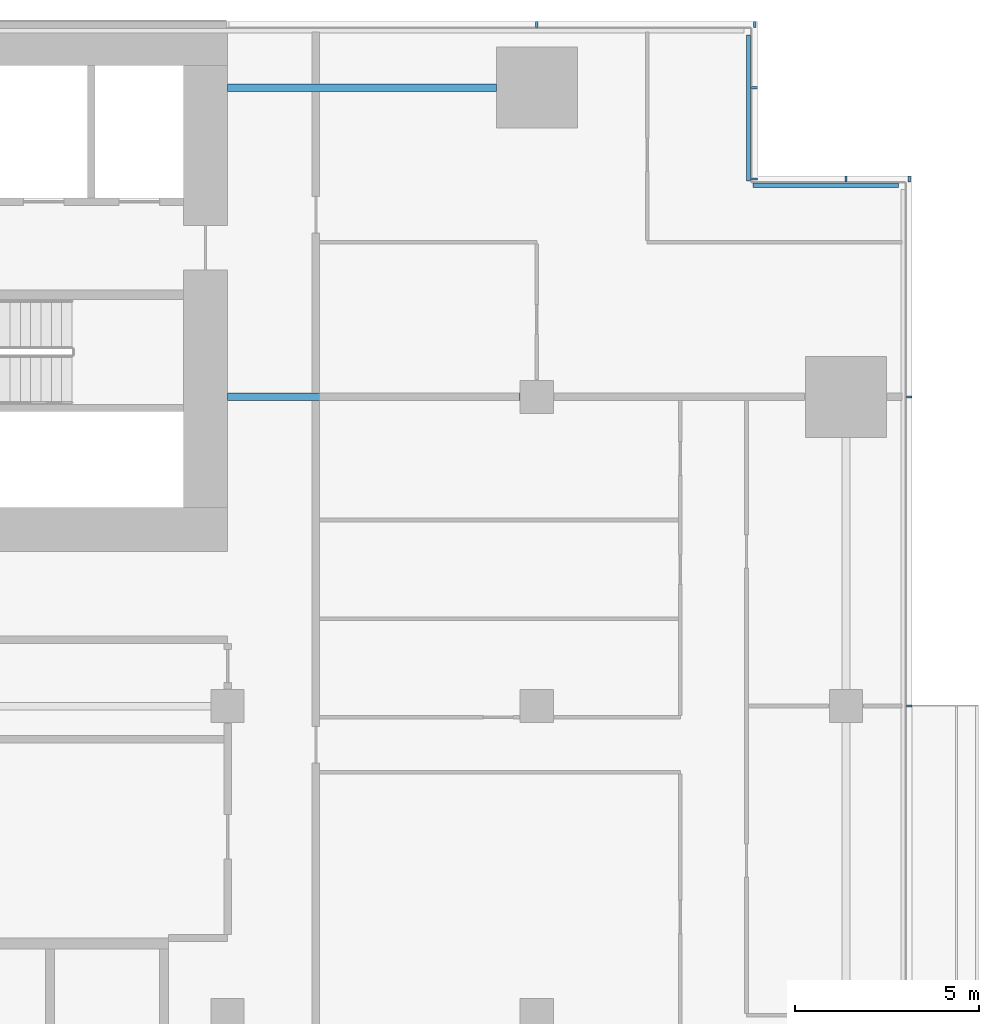
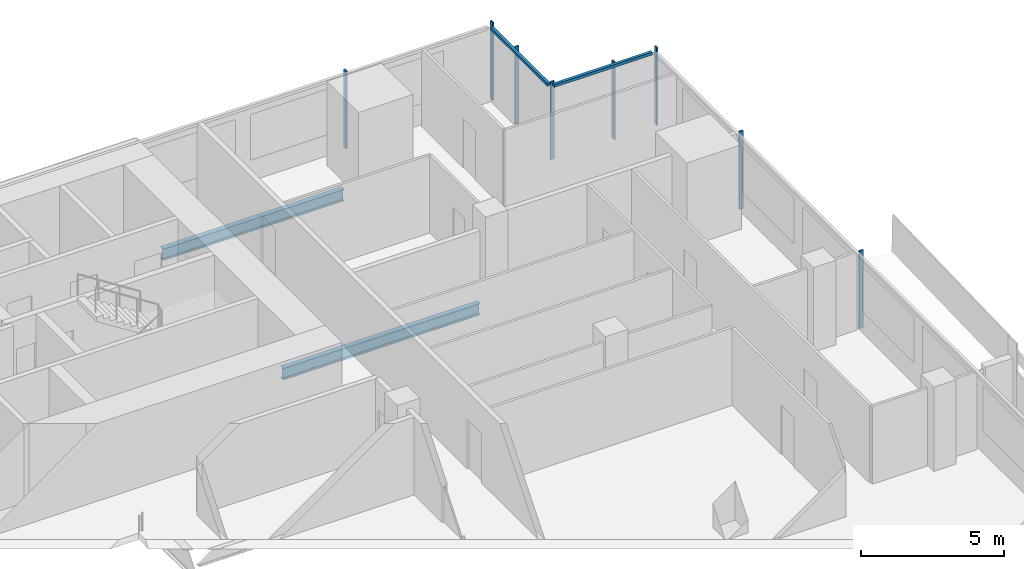
# One storey, part 14 of 28: 10 members, 2 beams, 4 elements without a shape of their own.
"""IFC4 building model written with IfcOpenShell, lengths in metres."""

from ifc_helpers import new_model, si_unit, direction, frame, origin, origin_2d, place, context, subcontext, project, spatial, rectangle, i_section, extrude, material, material_profile, profile_set, type_object, element, aggregate, save


model = new_model("IFC4")

# Units and contexts
model_context = context("Model", 3, precision=1e-05, world=origin(), true_north=direction((0.0, 1.0)))
body_context = subcontext(model_context, "Body", "Model", "MODEL_VIEW")
ifc_project = project(units=[si_unit("LENGTHUNIT", "METRE"), si_unit("AREAUNIT", "SQUARE_METRE"), si_unit("VOLUMEUNIT", "CUBIC_METRE"), si_unit("PLANEANGLEUNIT", "RADIAN"), si_unit("MASSUNIT", "GRAM", prefix="KILO")], contexts=[model_context])

# Site, building, storey
site_placement = place(None, origin())
site = spatial("IfcSite", under=ifc_project, at=site_placement, CompositionType="ELEMENT")
building_placement = place(site_placement, origin())
building = spatial("IfcBuilding", under=site, at=building_placement, Name="Saffron Gate Tower", CompositionType="ELEMENT")
storey_placement = place(building_placement, frame((0.0, 0.0, 51.60009765625)))
storey = spatial("IfcBuildingStorey", under=building, at=storey_placement, Name="L11", CompositionType="ELEMENT", Elevation=51.60009765625)

# Beams
ifc_material_1 = material(Name="Structural steel S355", Category="steel")
ifc_material_profile_1 = material_profile(ifc_material_1, i_section(OverallWidth=0.199951171875, OverallDepth=0.5, WebThickness=0.01025390625, FlangeThickness=0.01611328125, FilletRadius=0.02099609375, at=origin_2d()))
ifc_profile_set_1 = profile_set([ifc_material_profile_1], Name="Structural steel S355")
beam_type = type_object("IfcBeamType", Name="B10 IPE 500", PredefinedType="BEAM", material=ifc_profile_set_1)
beam_1_placement = place(storey_placement, frame((116.550048828125, 65.39990234375, -0.530029296875), z_axis=(-1.0, 0.0, 0.0), x_axis=(0.0, -1.0, 0.0)))
element("IfcBeam", 1, at=beam_1_placement, inside=storey, type_object=beam_type, Name="B10 CORE TIE BEAM", PredefinedType="BEAM", context=body_context, shape_type="SweptSolid", body=[
    extrude(i_section(OverallWidth=0.199951171875, OverallDepth=0.5, WebThickness=0.01025390625, FlangeThickness=0.01611328125, FilletRadius=0.02099609375, at=origin_2d()), origin(), (0.0, 0.0, 1.0), 7.949951171875),
])
beam_2_placement = place(storey_placement, frame((115.89990234375, 73.800048828125, -0.530029296875), z_axis=(-1.0, 0.0, 0.0), x_axis=(0.0, -1.0, 0.0)))
element("IfcBeam", 2, at=beam_2_placement, inside=storey, type_object=beam_type, Name="B10 CORE TIE BEAM", PredefinedType="BEAM", context=body_context, shape_type="SweptSolid", body=[
    extrude(i_section(OverallWidth=0.199951171875, OverallDepth=0.5, WebThickness=0.01025390625, FlangeThickness=0.01611328125, FilletRadius=0.02099609375, at=origin_2d()), origin(), (0.0, 0.0, 1.0), 7.2998046875),
])

# Curtain wall, members
ifc_material_2 = material(Name="Aluminium, bronze anodised", Category="aluminium")
curtain_wall_type_1 = type_object("IfcCurtainWallType", Name="CWS2 curtain wall side facades", PredefinedType="NOTDEFINED", material=ifc_material_2)
curtain_wall_1_placement = place(storey_placement, origin())
curtain_wall_1 = element("IfcCurtainWall", 3, at=curtain_wall_1_placement, inside=storey, type_object=curtain_wall_type_1, Name="CWS2 run 4", PredefinedType="NOTDEFINED")
ifc_material_profile_2 = material_profile(ifc_material_2, rectangle(XDim=0.159912109375, YDim=0.06005859375, at=origin_2d()))
ifc_profile_set_2 = profile_set([ifc_material_profile_2], Name="Aluminium, bronze anodised")
member_type_1 = type_object("IfcMemberType", Name="CWS2 mullion 60x160", PredefinedType="MULLION", material=ifc_profile_set_2)
member_1_placement = place(storey_placement, frame((127.1201171875, 57.0, 0.0), z_axis=(0.0, 0.0, 1.0), x_axis=(-1.0, 0.0, 0.0)))
member_1 = element("IfcMember", 4, at=member_1_placement, type_object=member_type_1, Name="CWS2 mullion 4", PredefinedType="MULLION", context=body_context, shape_type="SweptSolid", body=[
    extrude(rectangle(XDim=0.159912109375, YDim=0.06005859375, at=origin_2d()), origin(), (0.0, 0.0, 1.0), 3.31982421875),
])
member_2_placement = place(storey_placement, frame((127.1201171875, 65.39990234375, 0.0), z_axis=(0.0, 0.0, 1.0), x_axis=(-1.0, 0.0, 0.0)))
member_2 = element("IfcMember", 5, at=member_2_placement, type_object=member_type_1, Name="CWS2 mullion 5", PredefinedType="MULLION", context=body_context, shape_type="SweptSolid", body=[
    extrude(rectangle(XDim=0.159912109375, YDim=0.06005859375, at=origin_2d()), origin(), (0.0, 0.0, 1.0), 3.31982421875),
])
aggregate(curtain_wall_1, [member_1, member_2])

curtain_wall_type_2 = type_object("IfcCurtainWallType", Name="CWS3 curtain wall rear facade", PredefinedType="NOTDEFINED", material=ifc_material_2)
curtain_wall_2_placement = place(storey_placement, origin())
curtain_wall_2 = element("IfcCurtainWall", 6, at=curtain_wall_2_placement, inside=storey, type_object=curtain_wall_type_2, Name="CWS3 run 7", PredefinedType="NOTDEFINED")
ifc_material_profile_3 = material_profile(ifc_material_2, rectangle(XDim=0.159912109375, YDim=0.070068359375, at=origin_2d()))
ifc_profile_set_3 = profile_set([ifc_material_profile_3], Name="Aluminium, bronze anodised")
member_type_2 = type_object("IfcMemberType", Name="CWS3 mullion 70x160", PredefinedType="MULLION", material=ifc_profile_set_3)
member_3_placement = place(storey_placement, frame((122.919921875, 75.52001953125, 0.0), z_axis=(0.0, 0.0, 1.0), x_axis=(0.0, -1.0, 0.0)))
member_3 = element("IfcMember", 7, at=member_3_placement, type_object=member_type_2, Name="CWS3 mullion 1", PredefinedType="MULLION", context=body_context, shape_type="SweptSolid", body=[
    extrude(rectangle(XDim=0.159912109375, YDim=0.070068359375, at=origin_2d()), origin(), (0.0, 0.0, 1.0), 3.31982421875),
])
member_4_placement = place(storey_placement, frame((117.0, 75.52001953125, 0.0), z_axis=(0.0, 0.0, 1.0), x_axis=(0.0, -1.0, 0.0)))
member_4 = element("IfcMember", 8, at=member_4_placement, type_object=member_type_2, Name="CWS3 mullion 2", PredefinedType="MULLION", context=body_context, shape_type="SweptSolid", body=[
    extrude(rectangle(XDim=0.159912109375, YDim=0.070068359375, at=origin_2d()), origin(), (0.0, 0.0, 1.0), 3.31982421875),
])
aggregate(curtain_wall_2, [member_3, member_4])

# Curtain wall, member
curtain_wall_type_3 = type_object("IfcCurtainWallType", Name="CWS4 curtain wall corner returns", PredefinedType="NOTDEFINED", material=ifc_material_2)
curtain_wall_3_placement = place(storey_placement, origin())
curtain_wall_3 = element("IfcCurtainWall", 9, at=curtain_wall_3_placement, inside=storey, type_object=curtain_wall_type_3, Name="CWS4 run 5", PredefinedType="NOTDEFINED")
ifc_material_profile_4 = material_profile(ifc_material_2, rectangle(XDim=0.1201171875, YDim=0.1201171875, at=origin_2d()))
ifc_profile_set_4 = profile_set([ifc_material_profile_4], Name="Aluminium, bronze anodised")
member_type_3 = type_object("IfcMemberType", Name="CWS4 head transom", PredefinedType="USERDEFINED", material=ifc_profile_set_4)
member_5_placement = place(storey_placement, frame((126.83203125, 71.152099609375, 3.260009765625), z_axis=(-1.0, 0.0, 0.0), x_axis=(0.0, -1.0, 0.0)))
member_5 = element("IfcMember", 10, at=member_5_placement, type_object=member_type_3, Name="CWS4 head transom", ObjectType="TRANSOM", PredefinedType="USERDEFINED", context=body_context, shape_type="SweptSolid", body=[
    extrude(rectangle(XDim=0.1201171875, YDim=0.1201171875, at=origin_2d()), origin(), (0.0, 0.0, 1.0), 3.9599609375),
])

curtain_wall_4_placement = place(storey_placement, origin())
curtain_wall_4 = element("IfcCurtainWall", 11, at=curtain_wall_4_placement, inside=storey, type_object=curtain_wall_type_3, Name="CWS4 run 6", PredefinedType="NOTDEFINED")
member_6_placement = place(storey_placement, frame((122.751953125, 71.27197265625, 3.260009765625), z_axis=(0.0, 1.0, 0.0), x_axis=(-1.0, 0.0, 0.0)))
member_6 = element("IfcMember", 12, at=member_6_placement, type_object=member_type_3, Name="CWS4 head transom", ObjectType="TRANSOM", PredefinedType="USERDEFINED", context=body_context, shape_type="SweptSolid", body=[
    extrude(rectangle(XDim=0.1201171875, YDim=0.1201171875, at=origin_2d()), origin(), (0.0, 0.0, 1.0), 3.9599609375),
])

# Member
ifc_material_profile_5 = material_profile(ifc_material_2, rectangle(XDim=0.159912109375, YDim=0.06005859375, at=origin_2d()))
ifc_profile_set_5 = profile_set([ifc_material_profile_5], Name="Aluminium, bronze anodised")
member_type_4 = type_object("IfcMemberType", Name="CWS4 mullion 60x160", PredefinedType="MULLION", material=ifc_profile_set_5)
member_7_placement = place(storey_placement, frame((127.1201171875, 71.320068359375, 0.0), z_axis=(0.0, 0.0, 1.0), x_axis=(0.0, -1.0, 0.0)))
member_7 = element("IfcMember", 13, at=member_7_placement, type_object=member_type_4, Name="CWS4 mullion 1", PredefinedType="MULLION", context=body_context, shape_type="SweptSolid", body=[
    extrude(rectangle(XDim=0.159912109375, YDim=0.06005859375, at=origin_2d()), origin(), (0.0, 0.0, 1.0), 3.31982421875),
])

member_8_placement = place(storey_placement, frame((125.39990234375, 71.320068359375, 0.0), z_axis=(0.0, 0.0, 1.0), x_axis=(0.0, -1.0, 0.0)))
member_8 = element("IfcMember", 14, at=member_8_placement, type_object=member_type_4, Name="CWS4 mullion 2", PredefinedType="MULLION", context=body_context, shape_type="SweptSolid", body=[
    extrude(rectangle(XDim=0.159912109375, YDim=0.06005859375, at=origin_2d()), origin(), (0.0, 0.0, 1.0), 3.31982421875),
])

aggregate(curtain_wall_3, [member_7, member_8, member_5])

member_9_placement = place(storey_placement, frame((122.919921875, 71.320068359375, 0.0), z_axis=(0.0, 0.0, 1.0), x_axis=(-1.0, 0.0, 0.0)))
member_9 = element("IfcMember", 15, at=member_9_placement, type_object=member_type_4, Name="CWS4 mullion 1", PredefinedType="MULLION", context=body_context, shape_type="SweptSolid", body=[
    extrude(rectangle(XDim=0.159912109375, YDim=0.06005859375, at=origin_2d()), origin(), (0.0, 0.0, 1.0), 3.31982421875),
])

member_10_placement = place(storey_placement, frame((122.919921875, 73.800048828125, 0.0), z_axis=(0.0, 0.0, 1.0), x_axis=(-1.0, 0.0, 0.0)))
member_10 = element("IfcMember", 16, at=member_10_placement, type_object=member_type_4, Name="CWS4 mullion 2", PredefinedType="MULLION", context=body_context, shape_type="SweptSolid", body=[
    extrude(rectangle(XDim=0.159912109375, YDim=0.06005859375, at=origin_2d()), origin(), (0.0, 0.0, 1.0), 3.31982421875),
])

aggregate(curtain_wall_4, [member_9, member_10, member_6])

save(model, "model.ifc")
